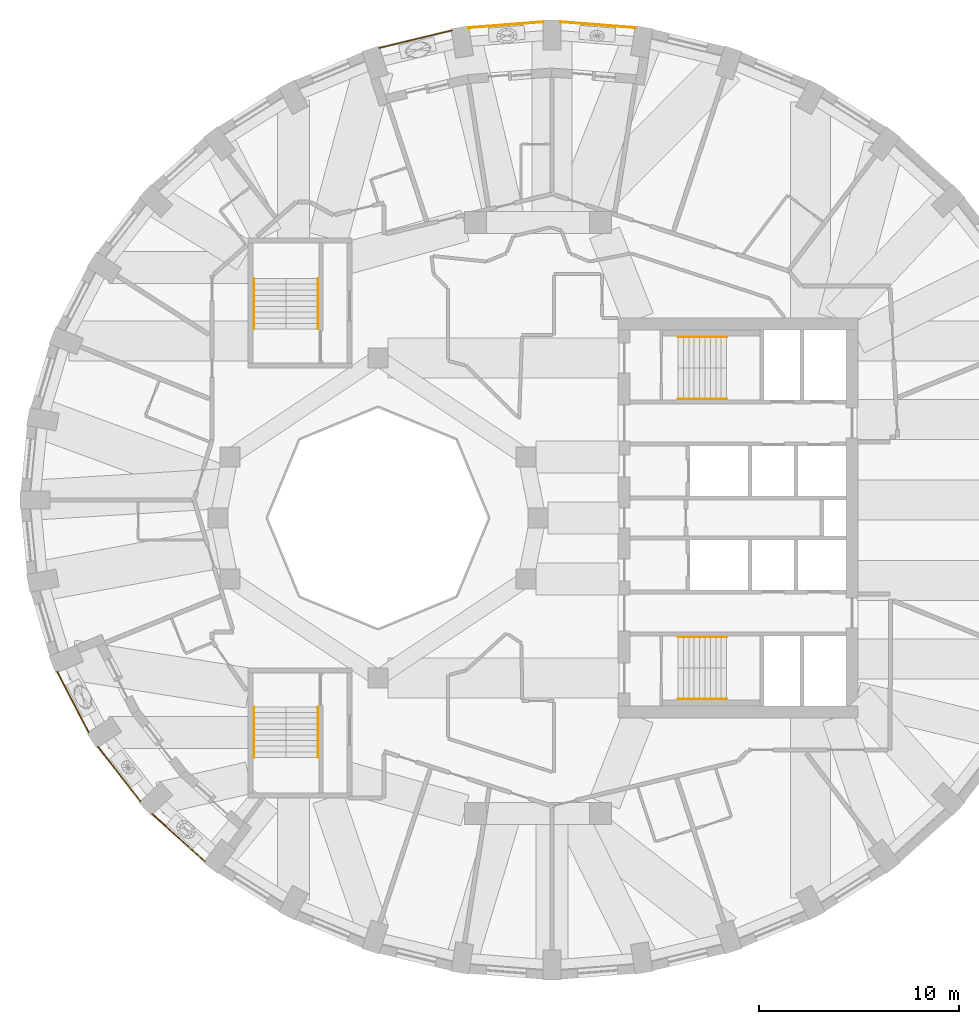
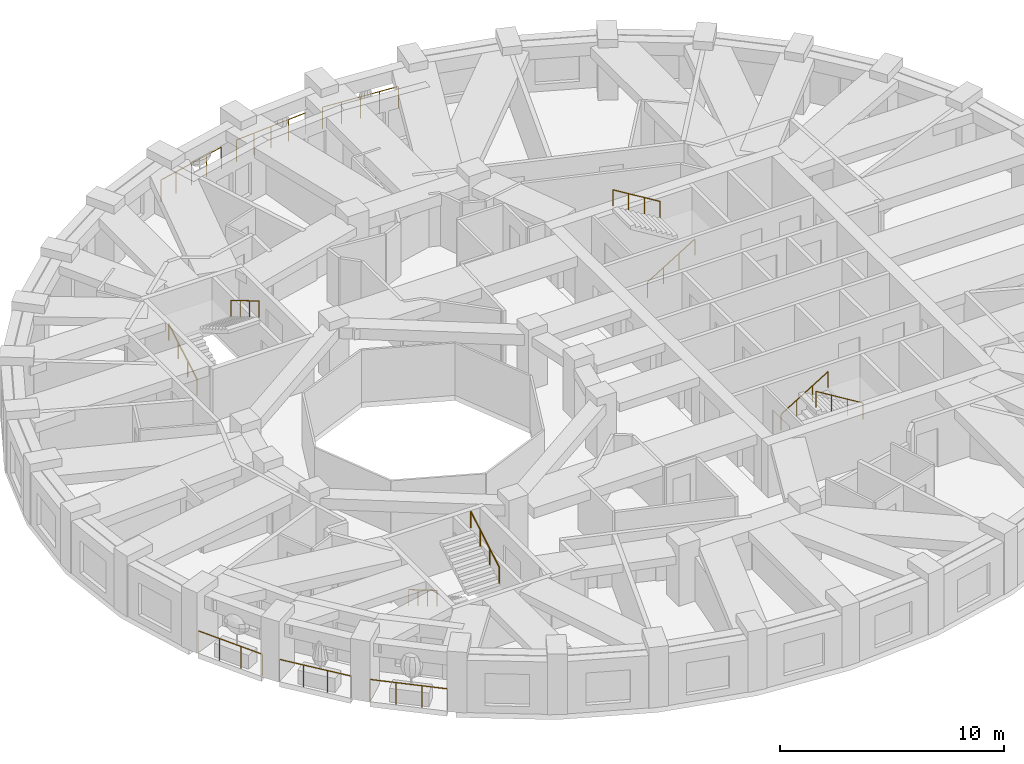
# One storey, part 10 of 12: 14 railings.
"""IFC4 building model written with IfcOpenShell, lengths in metres."""

from ifc_helpers import new_model, si_unit, direction, frame, origin, origin_2d, place, context, subcontext, project, spatial, circle, extrude, material, type_object, element, save


model = new_model("IFC4")

# Units and contexts
model_context = context("Model", 3, precision=1e-05, world=origin(), true_north=direction((0.0, 1.0)))
body_context = subcontext(model_context, "Body", "Model", "MODEL_VIEW")
ifc_project = project(units=[si_unit("LENGTHUNIT", "METRE"), si_unit("AREAUNIT", "SQUARE_METRE"), si_unit("VOLUMEUNIT", "CUBIC_METRE"), si_unit("PLANEANGLEUNIT", "RADIAN"), si_unit("MASSUNIT", "GRAM", prefix="KILO")], contexts=[model_context])

# Site, building, storey
site_placement = place(None, origin())
site = spatial("IfcSite", under=ifc_project, at=site_placement, CompositionType="ELEMENT")
building_placement = place(site_placement, origin())
building = spatial("IfcBuilding", under=site, at=building_placement, Name="Taillehof Tower", CompositionType="ELEMENT")
storey_placement = place(building_placement, frame((0.0, 0.0, 225.5)))
storey = spatial("IfcBuildingStorey", under=building, at=storey_placement, Name="L64", CompositionType="ELEMENT", Elevation=225.5)

# Railings
ifc_material_1 = material(Name="Stainless steel balustrade", Category="steel")
railing_type_1 = type_object("IfcRailingType", Name="Balcony guard 1200", PredefinedType="GUARDRAIL", material=ifc_material_1)
railing_1_placement = place(storey_placement, frame((4.8671875, 24.511962890625, 0.0)))
element("IfcRailing", 1, at=railing_1_placement, inside=storey, type_object=railing_type_1, Name="Balcony guard L64 bay 9", PredefinedType="GUARDRAIL", context=body_context, shape_type="SweptSolid", body=[
    extrude(circle(Radius=0.02392578125, at=origin_2d()), frame((0.0, 0.0, 1.17578125), z_axis=(-0.996920832567, 0.078414626146, 0.0), x_axis=(-0.078414626146, -0.996920832567, 0.0)), (0.0, 0.0, 1.0), 3.74853515625),
    extrude(circle(Radius=0.02099609375, at=origin_2d()), origin(), (0.0, 0.0, 1.0), 1.15185546875),
    extrude(circle(Radius=0.02099609375, at=origin_2d()), frame((-0.934326171875, 0.073486328125, 0.0)), (0.0, 0.0, 1.0), 1.15185546875),
    extrude(circle(Radius=0.02099609375, at=origin_2d()), frame((-1.86865234375, 0.14697265625, 0.0)), (0.0, 0.0, 1.0), 1.15185546875),
    extrude(circle(Radius=0.02099609375, at=origin_2d()), frame((-2.802734375, 0.220458984375, 0.0)), (0.0, 0.0, 1.0), 1.15185546875),
    extrude(circle(Radius=0.02099609375, at=origin_2d()), frame((-3.737060546875, 0.2939453125, 0.0)), (0.0, 0.0, 1.0), 1.15185546875),
])
railing_2_placement = place(storey_placement, frame((0.27001953125, 24.805908203125, 0.0)))
element("IfcRailing", 2, at=railing_2_placement, inside=storey, type_object=railing_type_1, Name="Balcony guard L64 bay 10", PredefinedType="GUARDRAIL", context=body_context, shape_type="SweptSolid", body=[
    extrude(circle(Radius=0.02392578125, at=origin_2d()), frame((0.0, 0.0, 1.17578125), z_axis=(-0.996920832567, -0.078414626146, 0.0), x_axis=(0.078414626146, -0.996920832567, 0.0)), (0.0, 0.0, 1.0), 3.74853515625),
    extrude(circle(Radius=0.02099609375, at=origin_2d()), origin(), (0.0, 0.0, 1.0), 1.15185546875),
    extrude(circle(Radius=0.02099609375, at=origin_2d()), frame((-0.934326171875, -0.073486328125, 0.0)), (0.0, 0.0, 1.0), 1.15185546875),
    extrude(circle(Radius=0.02099609375, at=origin_2d()), frame((-1.86865234375, -0.14697265625, 0.0)), (0.0, 0.0, 1.0), 1.15185546875),
    extrude(circle(Radius=0.02099609375, at=origin_2d()), frame((-2.802734375, -0.220458984375, 0.0)), (0.0, 0.0, 1.0), 1.15185546875),
    extrude(circle(Radius=0.02099609375, at=origin_2d()), frame((-3.737060546875, -0.2939453125, 0.0)), (0.0, 0.0, 1.0), 1.15185546875),
])
railing_3_placement = place(storey_placement, frame((-4.316650390625, 24.376953125, 0.0)))
element("IfcRailing", 3, at=railing_3_placement, inside=storey, type_object=railing_type_1, Name="Balcony guard L64 bay 11", PredefinedType="GUARDRAIL", context=body_context, shape_type="SweptSolid", body=[
    extrude(circle(Radius=0.02392578125, at=origin_2d()), frame((0.0, 0.0, 1.17578125), z_axis=(-0.972163104093, -0.234305140875, 0.0), x_axis=(0.234305140875, -0.972163104093, 0.0)), (0.0, 0.0, 1.0), 3.72412109375),
    extrude(circle(Radius=0.02099609375, at=origin_2d()), origin(), (0.0, 0.0, 1.0), 1.15185546875),
    extrude(circle(Radius=0.02099609375, at=origin_2d()), frame((-0.905029296875, -0.21826171875, 0.0)), (0.0, 0.0, 1.0), 1.15185546875),
    extrude(circle(Radius=0.02099609375, at=origin_2d()), frame((-1.81005859375, -0.436279296875, 0.0)), (0.0, 0.0, 1.0), 1.15185546875),
    extrude(circle(Radius=0.02099609375, at=origin_2d()), frame((-2.71533203125, -0.654296875, 0.0)), (0.0, 0.0, 1.0), 1.15185546875),
    extrude(circle(Radius=0.02099609375, at=origin_2d()), frame((-3.620361328125, -0.87255859375, 0.0)), (0.0, 0.0, 1.0), 1.15185546875),
])
railing_4_placement = place(storey_placement, frame((-24.031982421875, -7.693603515625, 0.0)))
element("IfcRailing", 4, at=railing_4_placement, inside=storey, type_object=railing_type_1, Name="Balcony guard L64 bay 21", PredefinedType="GUARDRAIL", context=body_context, shape_type="SweptSolid", body=[
    extrude(circle(Radius=0.02392578125, at=origin_2d()), frame((0.0, 0.0, 1.17578125), z_axis=(0.460229168419, -0.88780015349, 0.0), x_axis=(0.88780015349, 0.460229168419, 0.0)), (0.0, 0.0, 1.0), 3.4013671875),
    extrude(circle(Radius=0.02099609375, at=origin_2d()), origin(), (0.0, 0.0, 1.0), 1.15185546875),
    extrude(circle(Radius=0.02099609375, at=origin_2d()), frame((0.521728515625, -1.006591796875, 0.0)), (0.0, 0.0, 1.0), 1.15185546875),
    extrude(circle(Radius=0.02099609375, at=origin_2d()), frame((1.043701171875, -2.01318359375, 0.0)), (0.0, 0.0, 1.0), 1.15185546875),
    extrude(circle(Radius=0.02099609375, at=origin_2d()), frame((1.5654296875, -3.019775390625, 0.0)), (0.0, 0.0, 1.0), 1.15185546875),
])
railing_5_placement = place(storey_placement, frame((-22.00244140625, -11.4375, 0.0)))
element("IfcRailing", 5, at=railing_5_placement, inside=storey, type_object=railing_type_1, Name="Balcony guard L64 bay 22", PredefinedType="GUARDRAIL", context=body_context, shape_type="SweptSolid", body=[
    extrude(circle(Radius=0.02392578125, at=origin_2d()), frame((0.0, 0.0, 1.17578125), z_axis=(0.614233032347, -0.789124693552, 0.0), x_axis=(0.789124693552, 0.614233032347, 0.0)), (0.0, 0.0, 1.0), 3.467529296875),
    extrude(circle(Radius=0.02099609375, at=origin_2d()), origin(), (0.0, 0.0, 1.0), 1.15185546875),
    extrude(circle(Radius=0.02099609375, at=origin_2d()), frame((0.7099609375, -0.912109375, 0.0)), (0.0, 0.0, 1.0), 1.15185546875),
    extrude(circle(Radius=0.02099609375, at=origin_2d()), frame((1.419921875, -1.82421875, 0.0)), (0.0, 0.0, 1.0), 1.15185546875),
    extrude(circle(Radius=0.02099609375, at=origin_2d()), frame((2.1298828125, -2.736328125, 0.0)), (0.0, 0.0, 1.0), 1.15185546875),
])
railing_6_placement = place(storey_placement, frame((-19.286376953125, -14.80322265625, 0.0)))
element("IfcRailing", 6, at=railing_6_placement, inside=storey, type_object=railing_type_1, Name="Balcony guard L64 bay 23", PredefinedType="GUARDRAIL", context=body_context, shape_type="SweptSolid", body=[
    extrude(circle(Radius=0.02392578125, at=origin_2d()), frame((0.0, 0.0, 1.17578125), z_axis=(0.743448370075, -0.668793332079, 0.0), x_axis=(0.668793332079, 0.743448370075, 0.0)), (0.0, 0.0, 1.0), 3.541748046875),
    extrude(circle(Radius=0.02099609375, at=origin_2d()), origin(), (0.0, 0.0, 1.0), 1.15185546875),
    extrude(circle(Radius=0.02099609375, at=origin_2d()), frame((0.877685546875, -0.78955078125, 0.0)), (0.0, 0.0, 1.0), 1.15185546875),
    extrude(circle(Radius=0.02099609375, at=origin_2d()), frame((1.75537109375, -1.5791015625, 0.0)), (0.0, 0.0, 1.0), 1.15185546875),
    extrude(circle(Radius=0.02099609375, at=origin_2d()), frame((2.633056640625, -2.36865234375, 0.0)), (0.0, 0.0, 1.0), 1.15185546875),
])
ifc_material_2 = material(Name="Stainless steel", Category="steel")
railing_type_2 = type_object("IfcRailingType", Name="Stair handrail 900", PredefinedType="HANDRAIL", material=ifc_material_2)
railing_7_placement = place(storey_placement, frame((7.0, 5.949951171875, 0.1650390625)))
element("IfcRailing", 7, at=railing_7_placement, inside=storey, type_object=railing_type_2, Name="Stair S1 handrail", PredefinedType="HANDRAIL", context=body_context, shape_type="SweptSolid", body=[
    extrude(circle(Radius=0.02392578125, at=origin_2d()), frame((0.0, 0.0, 0.8759765625), z_axis=(0.853296667938, 0.0, 0.521425734392), x_axis=(0.0, 1.0, 0.0)), (0.0, 0.0, 1.0), 2.84765625),
    extrude(circle(Radius=0.02099609375, at=origin_2d()), origin(), (0.0, 0.0, 1.0), 0.851806640625),
    extrude(circle(Radius=0.02099609375, at=origin_2d()), frame((0.81005859375, 0.0, 0.494873046875)), (0.0, 0.0, 1.0), 0.851806640625),
    extrude(circle(Radius=0.02099609375, at=origin_2d()), frame((1.619873046875, 0.0, 0.989990234375)), (0.0, 0.0, 1.0), 0.851806640625),
    extrude(circle(Radius=0.02099609375, at=origin_2d()), frame((2.429931640625, 0.0, 1.48486328125)), (0.0, 0.0, 1.0), 0.851806640625),
])
railing_8_placement = place(storey_placement, frame((9.429931640625, 9.050048828125, 1.81494140625)))
element("IfcRailing", 8, at=railing_8_placement, inside=storey, type_object=railing_type_2, Name="Stair S1 handrail", PredefinedType="HANDRAIL", context=body_context, shape_type="SweptSolid", body=[
    extrude(circle(Radius=0.02392578125, at=origin_2d()), frame((0.0, 0.0, 0.8759765625), z_axis=(-0.853258522278, 0.0, 0.521488153423), x_axis=(0.0, -1.0, 0.0)), (0.0, 0.0, 1.0), 2.847900390625),
    extrude(circle(Radius=0.02099609375, at=origin_2d()), origin(), (0.0, 0.0, 1.0), 0.851806640625),
    extrude(circle(Radius=0.02099609375, at=origin_2d()), frame((-0.81005859375, 0.0, 0.4951171875)), (0.0, 0.0, 1.0), 0.851806640625),
    extrude(circle(Radius=0.02099609375, at=origin_2d()), frame((-1.619873046875, 0.0, 0.989990234375)), (0.0, 0.0, 1.0), 0.851806640625),
    extrude(circle(Radius=0.02099609375, at=origin_2d()), frame((-2.429931640625, 0.0, 1.485107421875)), (0.0, 0.0, 1.0), 0.851806640625),
])
railing_9_placement = place(storey_placement, frame((7.0, -5.949951171875, 0.1650390625)))
element("IfcRailing", 9, at=railing_9_placement, inside=storey, type_object=railing_type_2, Name="Stair S2 handrail", PredefinedType="HANDRAIL", context=body_context, shape_type="SweptSolid", body=[
    extrude(circle(Radius=0.02392578125, at=origin_2d()), frame((0.0, 0.0, 0.8759765625), z_axis=(0.853296667938, 0.0, 0.521425734392), x_axis=(0.0, 1.0, 0.0)), (0.0, 0.0, 1.0), 2.84765625),
    extrude(circle(Radius=0.02099609375, at=origin_2d()), origin(), (0.0, 0.0, 1.0), 0.851806640625),
    extrude(circle(Radius=0.02099609375, at=origin_2d()), frame((0.81005859375, 0.0, 0.494873046875)), (0.0, 0.0, 1.0), 0.851806640625),
    extrude(circle(Radius=0.02099609375, at=origin_2d()), frame((1.619873046875, 0.0, 0.989990234375)), (0.0, 0.0, 1.0), 0.851806640625),
    extrude(circle(Radius=0.02099609375, at=origin_2d()), frame((2.429931640625, 0.0, 1.48486328125)), (0.0, 0.0, 1.0), 0.851806640625),
])
railing_10_placement = place(storey_placement, frame((9.429931640625, -9.050048828125, 1.81494140625)))
element("IfcRailing", 10, at=railing_10_placement, inside=storey, type_object=railing_type_2, Name="Stair S2 handrail", PredefinedType="HANDRAIL", context=body_context, shape_type="SweptSolid", body=[
    extrude(circle(Radius=0.02392578125, at=origin_2d()), frame((0.0, 0.0, 0.8759765625), z_axis=(-0.853258522278, 0.0, 0.521488153423), x_axis=(0.0, -1.0, 0.0)), (0.0, 0.0, 1.0), 2.847900390625),
    extrude(circle(Radius=0.02099609375, at=origin_2d()), origin(), (0.0, 0.0, 1.0), 0.851806640625),
    extrude(circle(Radius=0.02099609375, at=origin_2d()), frame((-0.81005859375, 0.0, 0.4951171875)), (0.0, 0.0, 1.0), 0.851806640625),
    extrude(circle(Radius=0.02099609375, at=origin_2d()), frame((-1.619873046875, 0.0, 0.989990234375)), (0.0, 0.0, 1.0), 0.851806640625),
    extrude(circle(Radius=0.02099609375, at=origin_2d()), frame((-2.429931640625, 0.0, 1.485107421875)), (0.0, 0.0, 1.0), 0.851806640625),
])
railing_11_placement = place(storey_placement, frame((-14.199951171875, 9.449951171875, 0.1650390625)))
element("IfcRailing", 11, at=railing_11_placement, inside=storey, type_object=railing_type_2, Name="Stair S3 handrail", PredefinedType="HANDRAIL", context=body_context, shape_type="SweptSolid", body=[
    extrude(circle(Radius=0.02392578125, at=origin_2d()), frame((0.0, 0.0, 0.8759765625), z_axis=(0.0, 0.861560626758, 0.507654692109), x_axis=(-1.0, 0.0, 0.0)), (0.0, 0.0, 1.0), 2.925048828125),
    extrude(circle(Radius=0.02099609375, at=origin_2d()), origin(), (0.0, 0.0, 1.0), 0.851806640625),
    extrude(circle(Radius=0.02099609375, at=origin_2d()), frame((0.0, 0.840087890625, 0.494873046875)), (0.0, 0.0, 1.0), 0.851806640625),
    extrude(circle(Radius=0.02099609375, at=origin_2d()), frame((0.0, 1.679931640625, 0.989990234375)), (0.0, 0.0, 1.0), 0.851806640625),
    extrude(circle(Radius=0.02099609375, at=origin_2d()), frame((0.0, 2.52001953125, 1.48486328125)), (0.0, 0.0, 1.0), 0.851806640625),
])
railing_12_placement = place(storey_placement, frame((-11.0, 11.969970703125, 1.81494140625)))
element("IfcRailing", 12, at=railing_12_placement, inside=storey, type_object=railing_type_2, Name="Stair S3 handrail", PredefinedType="HANDRAIL", context=body_context, shape_type="SweptSolid", body=[
    extrude(circle(Radius=0.02392578125, at=origin_2d()), frame((0.0, 0.0, 0.8759765625), z_axis=(0.0, -0.86152411907, 0.507716645641), x_axis=(1.0, 0.0, 0.0)), (0.0, 0.0, 1.0), 2.925048828125),
    extrude(circle(Radius=0.02099609375, at=origin_2d()), origin(), (0.0, 0.0, 1.0), 0.851806640625),
    extrude(circle(Radius=0.02099609375, at=origin_2d()), frame((0.0, -0.840087890625, 0.4951171875)), (0.0, 0.0, 1.0), 0.851806640625),
    extrude(circle(Radius=0.02099609375, at=origin_2d()), frame((0.0, -1.679931640625, 0.989990234375)), (0.0, 0.0, 1.0), 0.851806640625),
    extrude(circle(Radius=0.02099609375, at=origin_2d()), frame((0.0, -2.52001953125, 1.485107421875)), (0.0, 0.0, 1.0), 0.851806640625),
])
railing_13_placement = place(storey_placement, frame((-14.199951171875, -9.449951171875, 0.1650390625)))
element("IfcRailing", 13, at=railing_13_placement, inside=storey, type_object=railing_type_2, Name="Stair S4 handrail", PredefinedType="HANDRAIL", context=body_context, shape_type="SweptSolid", body=[
    extrude(circle(Radius=0.02392578125, at=origin_2d()), frame((0.0, 0.0, 0.8759765625), z_axis=(0.0, -0.861560626758, 0.507654692109), x_axis=(1.0, 0.0, 0.0)), (0.0, 0.0, 1.0), 2.925048828125),
    extrude(circle(Radius=0.02099609375, at=origin_2d()), origin(), (0.0, 0.0, 1.0), 0.851806640625),
    extrude(circle(Radius=0.02099609375, at=origin_2d()), frame((0.0, -0.840087890625, 0.494873046875)), (0.0, 0.0, 1.0), 0.851806640625),
    extrude(circle(Radius=0.02099609375, at=origin_2d()), frame((0.0, -1.679931640625, 0.989990234375)), (0.0, 0.0, 1.0), 0.851806640625),
    extrude(circle(Radius=0.02099609375, at=origin_2d()), frame((0.0, -2.52001953125, 1.48486328125)), (0.0, 0.0, 1.0), 0.851806640625),
])
railing_14_placement = place(storey_placement, frame((-11.0, -11.969970703125, 1.81494140625)))
element("IfcRailing", 14, at=railing_14_placement, inside=storey, type_object=railing_type_2, Name="Stair S4 handrail", PredefinedType="HANDRAIL", context=body_context, shape_type="SweptSolid", body=[
    extrude(circle(Radius=0.02392578125, at=origin_2d()), frame((0.0, 0.0, 0.8759765625), z_axis=(0.0, 0.86152411907, 0.507716645641), x_axis=(-1.0, 0.0, 0.0)), (0.0, 0.0, 1.0), 2.925048828125),
    extrude(circle(Radius=0.02099609375, at=origin_2d()), origin(), (0.0, 0.0, 1.0), 0.851806640625),
    extrude(circle(Radius=0.02099609375, at=origin_2d()), frame((0.0, 0.840087890625, 0.4951171875)), (0.0, 0.0, 1.0), 0.851806640625),
    extrude(circle(Radius=0.02099609375, at=origin_2d()), frame((0.0, 1.679931640625, 0.989990234375)), (0.0, 0.0, 1.0), 0.851806640625),
    extrude(circle(Radius=0.02099609375, at=origin_2d()), frame((0.0, 2.52001953125, 1.485107421875)), (0.0, 0.0, 1.0), 0.851806640625),
])

save(model, "model.ifc")
